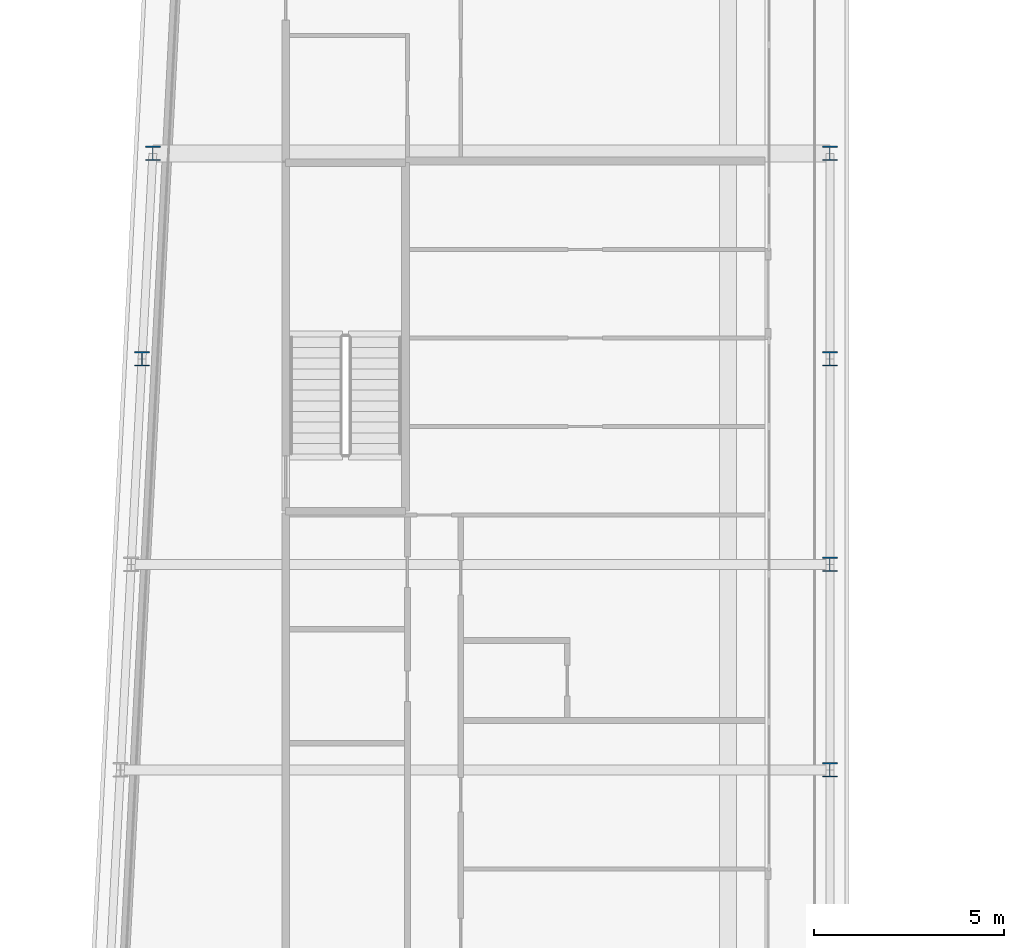
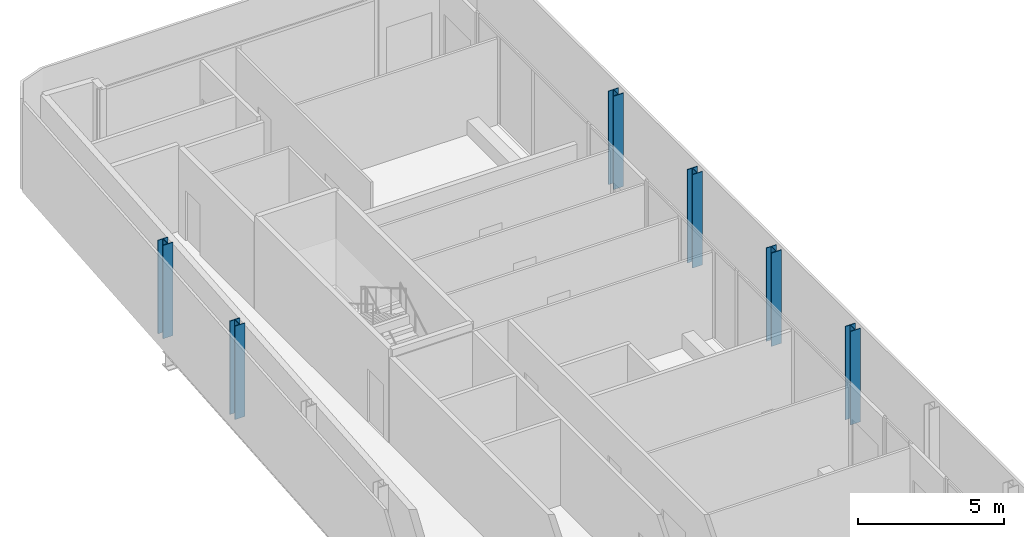
# One storey, part 4 of 21: 6 columns.
"""IFC4 building model written with IfcOpenShell, lengths in metres."""

from ifc_helpers import new_model, si_unit, direction, frame, origin, origin_2d, place, context, subcontext, project, spatial, i_section, extrude, material, material_profile, profile_set, type_object, element, save


model = new_model("IFC4")

# Units and contexts
model_context = context("Model", 3, precision=1e-05, world=origin(), true_north=direction((0.0, 1.0)))
body_context = subcontext(model_context, "Body", "Model", "MODEL_VIEW")
ifc_project = project(units=[si_unit("LENGTHUNIT", "METRE"), si_unit("AREAUNIT", "SQUARE_METRE"), si_unit("VOLUMEUNIT", "CUBIC_METRE"), si_unit("PLANEANGLEUNIT", "RADIAN"), si_unit("MASSUNIT", "GRAM", prefix="KILO")], contexts=[model_context])

# Site, building, storey
site_placement = place(None, origin())
site = spatial("IfcSite", under=ifc_project, at=site_placement, CompositionType="ELEMENT")
building_placement = place(site_placement, origin())
building = spatial("IfcBuilding", under=site, at=building_placement, Name="Kheshtan School and Residences Tower", CompositionType="ELEMENT")
storey_placement = place(building_placement, frame((0.0, 0.0, 321.5)))
storey = spatial("IfcBuildingStorey", under=building, at=storey_placement, Name="L76", CompositionType="ELEMENT", Elevation=321.5)

# Columns
ifc_material = material(Name="Steel ASTM A992 Grade 50", Category="steel")
ifc_material_profile = material_profile(ifc_material, i_section(OverallWidth=0.39501953125, OverallDepth=0.3798828125, WebThickness=0.018798828125, FlangeThickness=0.0302734375, FilletRadius=0.011474609375, at=origin_2d()), Name="W360x237")
ifc_profile_set = profile_set([ifc_material_profile], Name="Steel ASTM A992 Grade 50")
column_type = type_object("IfcColumnType", Name="Column C5 W360x237 ASTM A992 Grade 50", PredefinedType="COLUMN", material=ifc_profile_set)
for number, where, z_axis, x_axis, name in (
    (1, (47.60009765625, 72.60009765625, 0.0), (0.0, 0.0, 1.0), (1.0, 0.0, 0.0), "Column C087"),
    (2, (47.60009765625, 78.0, 0.0), (0.0, 0.0, 1.0), (1.0, 0.0, 0.0), "Column C089"),
    (3, (29.527099609375, 83.39990234375, 0.0), (0.0, 0.0, 1.0), (1.0, 0.0, 0.0), "Column C090"),
    (4, (47.60009765625, 83.39990234375, 0.0), (0.0, 0.0, 1.0), (1.0, 0.0, 0.0), "Column C091"),
    (5, (29.81103515625, 88.800048828125, 0.0), (0.0, 0.0, 1.0), (1.0, 0.0, 0.0), "Column C098"),
    (6, (47.60009765625, 88.800048828125, 0.0), (0.0, 0.0, 1.0), (1.0, 0.0, 0.0), "Column C099"),
):
    element("IfcColumn", number, at=place(storey_placement, frame(where, z_axis=z_axis, x_axis=x_axis)), inside=storey, type_object=column_type, Name=name, PredefinedType="COLUMN", context=body_context, shape_type="SweptSolid", body=[
        extrude(i_section(OverallWidth=0.39501953125, OverallDepth=0.3798828125, WebThickness=0.018798828125, FlangeThickness=0.0302734375, FilletRadius=0.011474609375, at=origin_2d()), origin(), (0.0, 0.0, 1.0), 3.89990234375),
    ])

save(model, "model.ifc")
